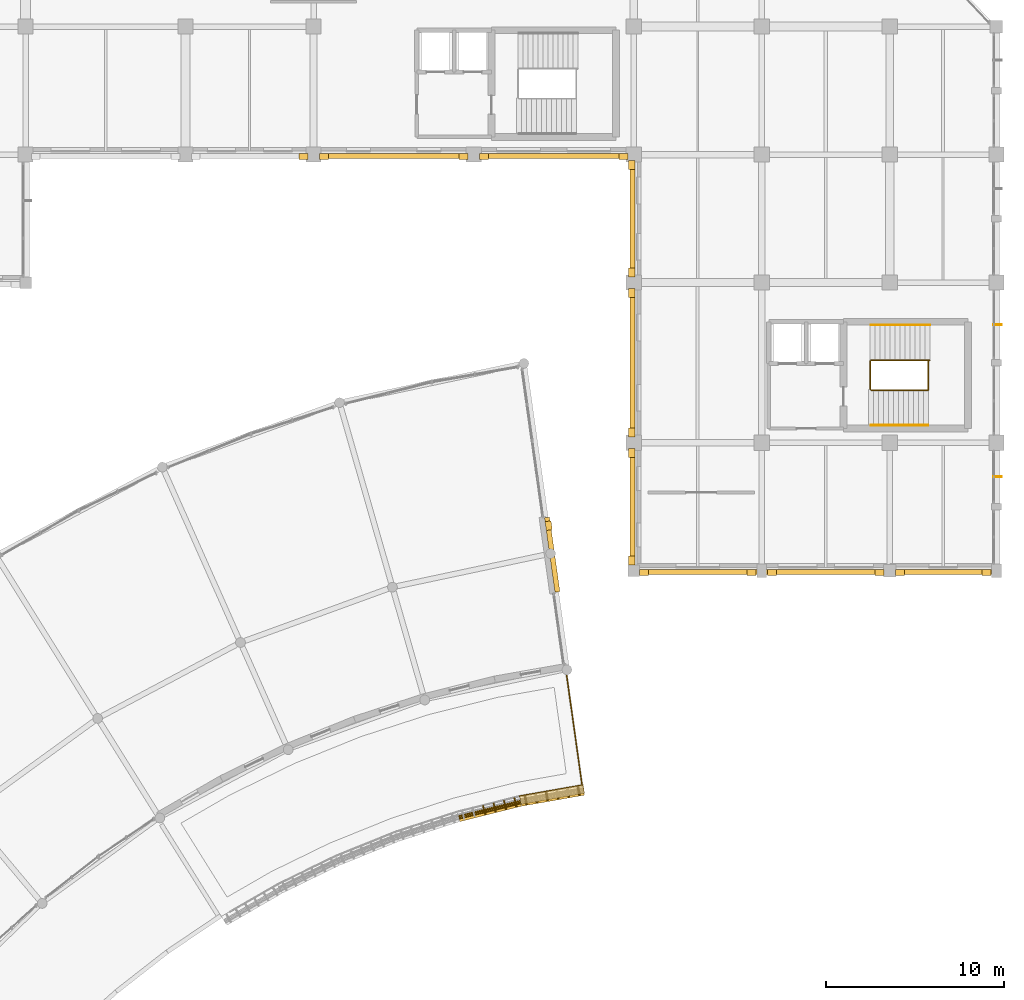
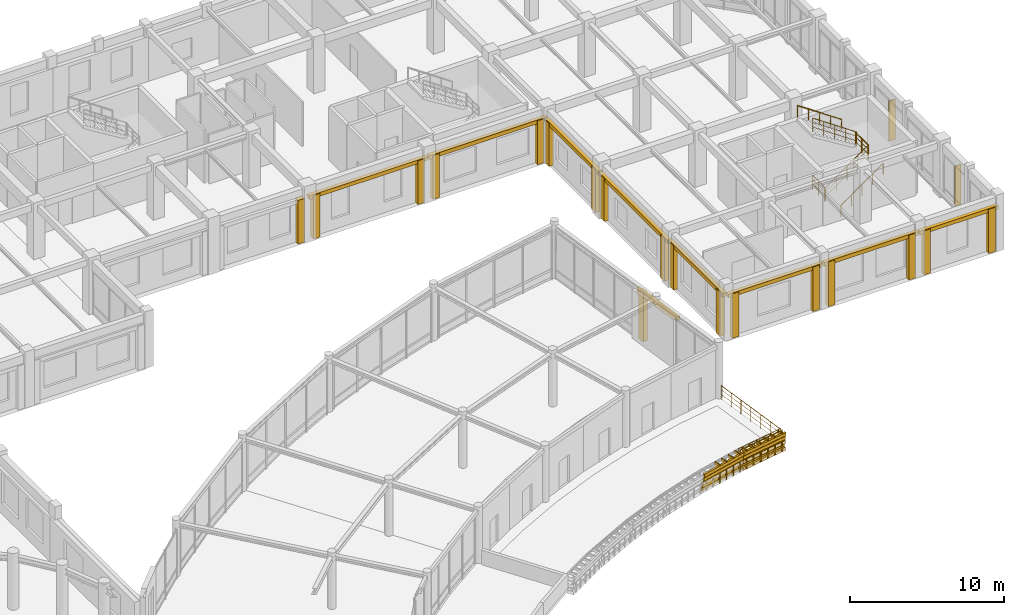
# One storey, part 61 of 62: 35 coverings, 22 shading devices, 9 railings.
"""IFC4 building model written with IfcOpenShell, lengths in metres."""

from ifc_helpers import new_model, si_unit, direction, frame, frame_2d, origin, origin_2d, place, context, subcontext, project, spatial, rectangle, circle, extrude, material, layer, layer_set, type_object, element, save


model = new_model("IFC4")

# Units and contexts
model_context = context("Model", 3, precision=1e-05, world=origin(), true_north=direction((0.0, 1.0)))
body_context = subcontext(model_context, "Body", "Model", "MODEL_VIEW")
ifc_project = project(units=[si_unit("LENGTHUNIT", "METRE"), si_unit("AREAUNIT", "SQUARE_METRE"), si_unit("VOLUMEUNIT", "CUBIC_METRE"), si_unit("PLANEANGLEUNIT", "RADIAN"), si_unit("MASSUNIT", "GRAM", prefix="KILO")], contexts=[model_context])

# Site, building, storey
site_placement = place(None, origin())
site = spatial("IfcSite", under=ifc_project, at=site_placement, CompositionType="ELEMENT")
building_placement = place(site_placement, origin())
building = spatial("IfcBuilding", under=site, at=building_placement, Name="Clarverna Civic Hall", CompositionType="ELEMENT")
storey_placement = place(building_placement, frame((0.0, 0.0, 5.10009765625)))
storey = spatial("IfcBuildingStorey", under=building, at=storey_placement, Name="L01", CompositionType="ELEMENT", Elevation=5.10009765625)

# Coverings
ifc_material_1 = material(Name="Thermally Modified Teak Wood Slat Fascia Cladding", Category="wood")
ifc_layer_1 = layer(ifc_material_1, 0.080078125)
ifc_layer_set_1 = layer_set([ifc_layer_1], Name="Thermally Modified Teak Wood Slat Fascia Cladding")
covering_type_1 = type_object("IfcCoveringType", Name="CV-CL1", PredefinedType="CLADDING", material=ifc_layer_set_1)
for number, where, z_axis, x_axis, name in (
    (1, (144.794189453125, 59.316650390625, -0.380126953125), (0.0, 0.0, 1.0), (-0.984801160782, -0.173685559914, 0.0), "CV-CL1-057"),
    (2, (144.794189453125, 59.316650390625, 0.159912109375), (0.0, 0.0, 1.0), (-0.984801160782, -0.173685559914, 0.0), "CV-CL1-058"),
):
    element("IfcCovering", number, at=place(storey_placement, frame(where, z_axis=z_axis, x_axis=x_axis)), inside=storey, type_object=covering_type_1, Name=name, PredefinedType="CLADDING", context=body_context, shape_type="SweptSolid", body=[
        extrude(rectangle(XDim=3.62939453125, YDim=0.5, at=frame_2d((1.814697265625, 0.0))), origin(), (0.0, 0.0, 1.0), 0.260009765625),
    ])
covering_1_placement = place(storey_placement, frame((144.794189453125, 59.316650390625, 0.679931640625), z_axis=(0.0, 0.0, 1.0), x_axis=(-0.984801160782, -0.173685559914, 0.0)))
element("IfcCovering", 3, at=covering_1_placement, inside=storey, type_object=covering_type_1, Name="CV-CL1-059", PredefinedType="CLADDING", context=body_context, shape_type="SweptSolid", body=[
    extrude(rectangle(XDim=3.62939453125, YDim=0.5, at=frame_2d((1.814697265625, 0.0))), origin(), (0.0, 0.0, 1.0), 0.280029296875),
])
for number, where, z_axis, x_axis, name in (
    (4, (144.458251953125, 59.480712890625, -0.360107421875), (0.0, 0.0, 1.0), (0.173339637113, -0.984862107204, 0.0), "CV-CL1-060"),
    (5, (142.6708984375, 59.165771484375, -0.360107421875), (0.0, 0.0, 1.0), (0.173813186416, -0.984778643263, 0.0), "CV-CL1-061"),
    (6, (141.4794921875, 58.95556640625, -0.360107421875), (0.0, 0.0, 1.0), (0.173813186416, -0.984778643263, 0.0), "CV-CL1-062"),
    (7, (140.885498046875, 58.829345703125, -0.360107421875), (0.0, 0.0, 1.0), (0.241731207299, -0.970343250308, 0.0), "CV-CL1-066"),
    (8, (139.12451171875, 58.390380859375, -0.360107421875), (0.0, 0.0, 1.0), (0.242190935722, -0.970228607419, 0.0), "CV-CL1-067"),
):
    element("IfcCovering", number, at=place(storey_placement, frame(where, z_axis=z_axis, x_axis=x_axis)), inside=storey, type_object=covering_type_1, Name=name, PredefinedType="CLADDING", context=body_context, shape_type="SweptSolid", body=[
        extrude(rectangle(XDim=0.5, YDim=0.070068359375, at=frame_2d((0.25, 0.0))), origin(), (0.0, 0.0, 1.0), 1.52001953125),
    ])
ifc_material_2 = material(Name="Montjuic Buff Limestone Ashlar Cladding", Category="masonry")
ifc_layer_2 = layer(ifc_material_2, 0.070068359375)
ifc_layer_set_2 = layer_set([ifc_layer_2], Name="Montjuic Buff Limestone Ashlar Cladding")
covering_type_2 = type_object("IfcCoveringType", Name="CV-CL2", PredefinedType="CLADDING", material=ifc_layer_set_2)
covering_2_placement = place(storey_placement, frame((167.93994140625, 71.52001953125, 3.219970703125), z_axis=(0.0, 0.0, 1.0), x_axis=(-1.0, 0.0, 0.0)))
element("IfcCovering", 9, at=covering_2_placement, inside=storey, type_object=covering_type_2, Name="CV-CL2-270", PredefinedType="CLADDING", context=body_context, shape_type="SweptSolid", body=[
    extrude(rectangle(XDim=5.8798828125, YDim=0.280029296875, at=frame_2d((2.93994140625, 0.0))), origin(), (0.0, 0.0, 1.0), 0.300048828125),
])
for number, where, z_axis, x_axis, name in (
    (10, (167.679931640625, 71.489990234375, 0.0), (0.0, 0.0, 1.0), (-1.0, 0.0, 0.0), "CV-CL2-271"),
    (11, (162.820068359375, 71.489990234375, 0.0), (0.0, 0.0, 1.0), (-1.0, 0.0, 0.0), "CV-CL2-272"),
):
    element("IfcCovering", number, at=place(storey_placement, frame(where, z_axis=z_axis, x_axis=x_axis)), inside=storey, type_object=covering_type_2, Name=name, PredefinedType="CLADDING", context=body_context, shape_type="SweptSolid", body=[
        extrude(rectangle(XDim=0.5, YDim=0.340087890625, at=frame_2d((0.25, 0.0))), origin(), (0.0, 0.0, 1.0), 3.5),
    ])
covering_3_placement = place(storey_placement, frame((161.93994140625, 71.52001953125, 3.260009765625), z_axis=(0.0, 0.0, 1.0), x_axis=(-1.0, 0.0, 0.0)))
element("IfcCovering", 12, at=covering_3_placement, inside=storey, type_object=covering_type_2, Name="CV-CL2-273", PredefinedType="CLADDING", context=body_context, shape_type="SweptSolid", body=[
    extrude(rectangle(XDim=7.079833984375, YDim=0.280029296875, at=frame_2d((3.5400390625, 0.0))), origin(), (0.0, 0.0, 1.0), 0.2998046875),
])
for number, where, z_axis, x_axis, name in (
    (13, (161.679931640625, 71.489990234375, 0.0), (0.0, 0.0, 1.0), (-1.0, 0.0, 0.0), "CV-CL2-274"),
    (14, (155.6201171875, 71.489990234375, 0.0), (0.0, 0.0, 1.0), (-1.0, 0.0, 0.0), "CV-CL2-275"),
):
    element("IfcCovering", number, at=place(storey_placement, frame(where, z_axis=z_axis, x_axis=x_axis)), inside=storey, type_object=covering_type_2, Name=name, PredefinedType="CLADDING", context=body_context, shape_type="SweptSolid", body=[
        extrude(rectangle(XDim=0.5, YDim=0.340087890625, at=frame_2d((0.25, 0.0))), origin(), (0.0, 0.0, 1.0), 3.539794921875),
    ])
covering_4_placement = place(storey_placement, frame((154.739990234375, 71.52001953125, 3.260009765625), z_axis=(0.0, 0.0, 1.0), x_axis=(-1.0, 0.0, 0.0)))
element("IfcCovering", 15, at=covering_4_placement, inside=storey, type_object=covering_type_2, Name="CV-CL2-276", PredefinedType="CLADDING", context=body_context, shape_type="SweptSolid", body=[
    extrude(rectangle(XDim=7.080078125, YDim=0.280029296875, at=frame_2d((3.5400390625, 0.0))), origin(), (0.0, 0.0, 1.0), 0.2998046875),
])
for number, where, z_axis, x_axis, name in (
    (16, (154.47998046875, 71.489990234375, 0.0), (0.0, 0.0, 1.0), (-1.0, 0.0, 0.0), "CV-CL2-277"),
    (17, (148.419921875, 71.489990234375, 0.0), (0.0, 0.0, 1.0), (-1.0, 0.0, 0.0), "CV-CL2-278"),
):
    element("IfcCovering", number, at=place(storey_placement, frame(where, z_axis=z_axis, x_axis=x_axis)), inside=storey, type_object=covering_type_2, Name=name, PredefinedType="CLADDING", context=body_context, shape_type="SweptSolid", body=[
        extrude(rectangle(XDim=0.5, YDim=0.340087890625, at=frame_2d((0.25, 0.0))), origin(), (0.0, 0.0, 1.0), 3.539794921875),
    ])
covering_5_placement = place(storey_placement, frame((147.52001953125, 71.659912109375, 3.260009765625), z_axis=(0.0, 0.0, 1.0), x_axis=(0.0, 1.0, 0.0)))
element("IfcCovering", 18, at=covering_5_placement, inside=storey, type_object=covering_type_2, Name="CV-CL2-279", PredefinedType="CLADDING", context=body_context, shape_type="SweptSolid", body=[
    extrude(rectangle(XDim=7.080078125, YDim=0.280029296875, at=frame_2d((3.5400390625, 0.0))), origin(), (0.0, 0.0, 1.0), 0.2998046875),
])
for number, where, z_axis, x_axis, name in (
    (19, (147.489990234375, 71.919921875, 0.0), (0.0, 0.0, 1.0), (0.0, 1.0, 0.0), "CV-CL2-280"),
    (20, (147.489990234375, 77.97998046875, 0.0), (0.0, 0.0, 1.0), (0.0, 1.0, 0.0), "CV-CL2-281"),
):
    element("IfcCovering", number, at=place(storey_placement, frame(where, z_axis=z_axis, x_axis=x_axis)), inside=storey, type_object=covering_type_2, Name=name, PredefinedType="CLADDING", context=body_context, shape_type="SweptSolid", body=[
        extrude(rectangle(XDim=0.5, YDim=0.340087890625, at=frame_2d((0.25, 0.0))), origin(), (0.0, 0.0, 1.0), 3.539794921875),
    ])
covering_6_placement = place(storey_placement, frame((147.52001953125, 78.860107421875, 3.139892578125), z_axis=(0.0, 0.0, 1.0), x_axis=(0.0, 1.0, 0.0)))
element("IfcCovering", 21, at=covering_6_placement, inside=storey, type_object=covering_type_2, Name="CV-CL2-282", PredefinedType="CLADDING", context=body_context, shape_type="SweptSolid", body=[
    extrude(rectangle(XDim=8.8798828125, YDim=0.280029296875, at=frame_2d((4.43994140625, 0.0))), origin(), (0.0, 0.0, 1.0), 0.300048828125),
])
for number, where, z_axis, x_axis, name in (
    (22, (147.489990234375, 79.1201171875, 0.0), (0.0, 0.0, 1.0), (0.0, 1.0, 0.0), "CV-CL2-283"),
    (23, (147.489990234375, 86.97998046875, 0.0), (0.0, 0.0, 1.0), (0.0, 1.0, 0.0), "CV-CL2-284"),
):
    element("IfcCovering", number, at=place(storey_placement, frame(where, z_axis=z_axis, x_axis=x_axis)), inside=storey, type_object=covering_type_2, Name=name, PredefinedType="CLADDING", context=body_context, shape_type="SweptSolid", body=[
        extrude(rectangle(XDim=0.5, YDim=0.340087890625, at=frame_2d((0.25, 0.0))), origin(), (0.0, 0.0, 1.0), 3.419921875),
    ])
covering_7_placement = place(storey_placement, frame((147.52001953125, 87.860107421875, 3.139892578125), z_axis=(0.0, 0.0, 1.0), x_axis=(0.0, 1.0, 0.0)))
element("IfcCovering", 24, at=covering_7_placement, inside=storey, type_object=covering_type_2, Name="CV-CL2-285", PredefinedType="CLADDING", context=body_context, shape_type="SweptSolid", body=[
    extrude(rectangle(XDim=7.079833984375, YDim=0.280029296875, at=frame_2d((3.5400390625, 0.0))), origin(), (0.0, 0.0, 1.0), 0.300048828125),
])
for number, where, z_axis, x_axis, name in (
    (25, (147.489990234375, 88.1201171875, 0.0), (0.0, 0.0, 1.0), (0.0, 1.0, 0.0), "CV-CL2-286"),
    (26, (147.489990234375, 94.179931640625, 0.0), (0.0, 0.0, 1.0), (0.0, 1.0, 0.0), "CV-CL2-287"),
):
    element("IfcCovering", number, at=place(storey_placement, frame(where, z_axis=z_axis, x_axis=x_axis)), inside=storey, type_object=covering_type_2, Name=name, PredefinedType="CLADDING", context=body_context, shape_type="SweptSolid", body=[
        extrude(rectangle(XDim=0.5, YDim=0.340087890625, at=frame_2d((0.25, 0.0))), origin(), (0.0, 0.0, 1.0), 3.419921875),
    ])
covering_8_placement = place(storey_placement, frame((147.5400390625, 94.919921875, 3.219970703125), z_axis=(0.0, 0.0, 1.0), x_axis=(-1.0, 0.0, 0.0)))
element("IfcCovering", 27, at=covering_8_placement, inside=storey, type_object=covering_type_2, Name="CV-CL2-288", PredefinedType="CLADDING", context=body_context, shape_type="SweptSolid", body=[
    extrude(rectangle(XDim=8.880126953125, YDim=0.280029296875, at=frame_2d((4.43994140625, 0.0))), origin(), (0.0, 0.0, 1.0), 0.300048828125),
])
for number, where, z_axis, x_axis, name in (
    (28, (147.280029296875, 94.889892578125, 0.0), (0.0, 0.0, 1.0), (-1.0, 0.0, 0.0), "CV-CL2-289"),
    (29, (139.419921875, 94.889892578125, 0.0), (0.0, 0.0, 1.0), (-1.0, 0.0, 0.0), "CV-CL2-290"),
):
    element("IfcCovering", number, at=place(storey_placement, frame(where, z_axis=z_axis, x_axis=x_axis)), inside=storey, type_object=covering_type_2, Name=name, PredefinedType="CLADDING", context=body_context, shape_type="SweptSolid", body=[
        extrude(rectangle(XDim=0.5, YDim=0.340087890625, at=frame_2d((0.25, 0.0))), origin(), (0.0, 0.0, 1.0), 3.5),
    ])
covering_9_placement = place(storey_placement, frame((138.5400390625, 94.919921875, 3.18994140625), z_axis=(0.0, 0.0, 1.0), x_axis=(-1.0, 0.0, 0.0)))
element("IfcCovering", 30, at=covering_9_placement, inside=storey, type_object=covering_type_2, Name="CV-CL2-291", PredefinedType="CLADDING", context=body_context, shape_type="SweptSolid", body=[
    extrude(rectangle(XDim=8.880126953125, YDim=0.280029296875, at=frame_2d((4.43994140625, 0.0))), origin(), (0.0, 0.0, 1.0), 0.300048828125),
])
for number, where, z_axis, x_axis, name in (
    (31, (138.280029296875, 94.889892578125, 0.0), (0.0, 0.0, 1.0), (-1.0, 0.0, 0.0), "CV-CL2-292"),
    (32, (130.419921875, 94.889892578125, 0.0), (0.0, 0.0, 1.0), (-1.0, 0.0, 0.0), "CV-CL2-293"),
    (33, (129.280029296875, 94.889892578125, 0.0), (0.0, 0.0, 1.0), (-1.0, 0.0, 0.0), "CV-CL2-295"),
):
    element("IfcCovering", number, at=place(storey_placement, frame(where, z_axis=z_axis, x_axis=x_axis)), inside=storey, type_object=covering_type_2, Name=name, PredefinedType="CLADDING", context=body_context, shape_type="SweptSolid", body=[
        extrude(rectangle(XDim=0.5, YDim=0.340087890625, at=frame_2d((0.25, 0.0))), origin(), (0.0, 0.0, 1.0), 3.469970703125),
    ])
covering_10_placement = place(storey_placement, frame((142.72119140625, 74.5966796875, 3.60986328125), z_axis=(0.0, 0.0, 1.0), x_axis=(0.139215035522, -0.990262174318, 0.0)))
element("IfcCovering", 34, at=covering_10_placement, inside=storey, type_object=covering_type_2, Name="CV-CL2-315", PredefinedType="CLADDING", context=body_context, shape_type="SweptSolid", body=[
    extrude(rectangle(XDim=4.22998046875, YDim=0.280029296875, at=frame_2d((2.114990234375, 0.0))), origin(), (0.0, 0.0, 1.0), 0.300048828125),
])
covering_11_placement = place(storey_placement, frame((142.781494140625, 74.383056640625, 0.0), z_axis=(0.0, 0.0, 1.0), x_axis=(0.139165050317, -0.990269200152, 0.0)))
element("IfcCovering", 35, at=covering_11_placement, inside=storey, type_object=covering_type_2, Name="CV-CL2-316", PredefinedType="CLADDING", context=body_context, shape_type="SweptSolid", body=[
    extrude(rectangle(XDim=0.5, YDim=0.340087890625, at=frame_2d((0.25, 0.0))), origin(), (0.0, 0.0, 1.0), 3.889892578125),
])

# Railings
ifc_material_3 = material(Name="Anodised Bronze Architectural Balustrade")
railing_type_1 = type_object("IfcRailingType", Name="GR-01", PredefinedType="BALUSTRADE", material=ifc_material_3)
railing_1_placement = place(storey_placement, frame((143.82958984375, 65.704345703125, 0.0)))
element("IfcRailing", 36, at=railing_1_placement, inside=storey, type_object=railing_type_1, Name="GR-01-004", PredefinedType="BALUSTRADE", context=body_context, shape_type="SweptSolid", body=[
    extrude(circle(Radius=0.02392578125, at=origin_2d()), frame((0.0, 0.0, 1.09619140625), z_axis=(0.139178585373, -0.990267297942, 0.0), x_axis=(0.990267297942, 0.139178585373, 0.0)), (0.0, 0.0, 1.0), 6.27978515625),
    extrude(circle(Radius=0.011962890625, at=origin_2d()), frame((0.0, 0.0, 0.39208984375), z_axis=(0.139178585373, -0.990267297942, 0.0), x_axis=(0.990267297942, 0.139178585373, 0.0)), (0.0, 0.0, 1.0), 6.27978515625),
    extrude(circle(Radius=0.011962890625, at=origin_2d()), frame((0.0, 0.0, 0.76171875), z_axis=(0.139178585373, -0.990267297942, 0.0), x_axis=(0.990267297942, 0.139178585373, 0.0)), (0.0, 0.0, 1.0), 6.27978515625),
    extrude(circle(Radius=0.02099609375, at=origin_2d()), origin(), (0.0, 0.0, 1.0), 1.072021484375),
    extrude(circle(Radius=0.02099609375, at=origin_2d()), frame((0.145751953125, -1.036376953125, 0.0)), (0.0, 0.0, 1.0), 1.072021484375),
    extrude(circle(Radius=0.02099609375, at=origin_2d()), frame((0.291259765625, -2.072998046875, 0.0)), (0.0, 0.0, 1.0), 1.072021484375),
    extrude(circle(Radius=0.02099609375, at=origin_2d()), frame((0.43701171875, -3.109375, 0.0)), (0.0, 0.0, 1.0), 1.072021484375),
    extrude(circle(Radius=0.02099609375, at=origin_2d()), frame((0.582763671875, -4.145751953125, 0.0)), (0.0, 0.0, 1.0), 1.072021484375),
    extrude(circle(Radius=0.02099609375, at=origin_2d()), frame((0.728271484375, -5.182373046875, 0.0)), (0.0, 0.0, 1.0), 1.072021484375),
    extrude(circle(Radius=0.02099609375, at=origin_2d()), frame((0.8740234375, -6.21875, 0.0)), (0.0, 0.0, 1.0), 1.072021484375),
])
railing_2_placement = place(storey_placement, frame((144.752685546875, 59.552978515625, 0.0)))
element("IfcRailing", 37, at=railing_2_placement, inside=storey, type_object=railing_type_1, Name="GR-01-005", PredefinedType="BALUSTRADE", context=body_context, shape_type="SweptSolid", body=[
    extrude(circle(Radius=0.02392578125, at=origin_2d()), frame((0.0, 0.0, 1.09619140625), z_axis=(-0.984814692178, -0.173608819105, 0.0), x_axis=(0.173608819105, -0.984814692178, 0.0)), (0.0, 0.0, 1.0), 3.629638671875),
    extrude(circle(Radius=0.011962890625, at=origin_2d()), frame((0.0, 0.0, 0.39208984375), z_axis=(-0.984814692178, -0.173608819105, 0.0), x_axis=(0.173608819105, -0.984814692178, 0.0)), (0.0, 0.0, 1.0), 3.629638671875),
    extrude(circle(Radius=0.011962890625, at=origin_2d()), frame((0.0, 0.0, 0.76171875), z_axis=(-0.984814692178, -0.173608819105, 0.0), x_axis=(0.173608819105, -0.984814692178, 0.0)), (0.0, 0.0, 1.0), 3.629638671875),
    extrude(circle(Radius=0.02099609375, at=origin_2d()), origin(), (0.0, 0.0, 1.0), 1.072021484375),
    extrude(circle(Radius=0.02099609375, at=origin_2d()), frame((-0.8935546875, -0.157470703125, 0.0)), (0.0, 0.0, 1.0), 1.072021484375),
    extrude(circle(Radius=0.02099609375, at=origin_2d()), frame((-1.787109375, -0.31494140625, 0.0)), (0.0, 0.0, 1.0), 1.072021484375),
    extrude(circle(Radius=0.02099609375, at=origin_2d()), frame((-2.680908203125, -0.47265625, 0.0)), (0.0, 0.0, 1.0), 1.072021484375),
    extrude(circle(Radius=0.02099609375, at=origin_2d()), frame((-3.574462890625, -0.630126953125, 0.0)), (0.0, 0.0, 1.0), 1.072021484375),
])
railing_type_2 = type_object("IfcRailingType", Name="GR-02", PredefinedType="BALUSTRADE", material=ifc_material_3)
railing_3_placement = place(storey_placement, frame((160.949951171875, 81.760009765625, 0.0)))
element("IfcRailing", 38, at=railing_3_placement, inside=storey, type_object=railing_type_2, Name="GR-02-043", PredefinedType="BALUSTRADE", context=body_context, shape_type="SweptSolid", body=[
    extrude(circle(Radius=0.02392578125, at=origin_2d()), frame((0.0, 0.0, 1.09619140625), z_axis=(0.818457937252, 0.0, 0.574566449551), x_axis=(0.0, 1.0, 0.0)), (0.0, 0.0, 1.0), 3.916015625),
    extrude(circle(Radius=0.011962890625, at=origin_2d()), frame((0.0, 0.0, 0.39208984375), z_axis=(0.818457937252, 0.0, 0.574566449551), x_axis=(0.0, 1.0, 0.0)), (0.0, 0.0, 1.0), 3.916015625),
    extrude(circle(Radius=0.011962890625, at=origin_2d()), frame((0.0, 0.0, 0.76171875), z_axis=(0.818457937252, 0.0, 0.574566449551), x_axis=(0.0, 1.0, 0.0)), (0.0, 0.0, 1.0), 3.916015625),
    extrude(circle(Radius=0.02099609375, at=origin_2d()), origin(), (0.0, 0.0, 1.0), 1.072021484375),
    extrude(circle(Radius=0.02099609375, at=origin_2d()), frame((0.80126953125, 0.0, 0.5625)), (0.0, 0.0, 1.0), 1.072021484375),
    extrude(circle(Radius=0.02099609375, at=origin_2d()), frame((1.6025390625, 0.0, 1.125)), (0.0, 0.0, 1.0), 1.072021484375),
    extrude(circle(Radius=0.02099609375, at=origin_2d()), frame((2.40380859375, 0.0, 1.6875)), (0.0, 0.0, 1.0), 1.072021484375),
    extrude(circle(Radius=0.02099609375, at=origin_2d()), frame((3.205078125, 0.0, 2.25)), (0.0, 0.0, 1.0), 1.072021484375),
])
railing_4_placement = place(storey_placement, frame((164.155029296875, 81.760009765625, 2.25)))
element("IfcRailing", 39, at=railing_4_placement, inside=storey, type_object=railing_type_2, Name="GR-02-044", PredefinedType="BALUSTRADE", context=body_context, shape_type="SweptSolid", body=[
    extrude(circle(Radius=0.02392578125, at=origin_2d()), frame((0.0, 0.0, 1.09619140625), z_axis=(0.0, 1.0, 0.0), x_axis=(-1.0, 0.0, 0.0)), (0.0, 0.0, 1.0), 1.679931640625),
    extrude(circle(Radius=0.011962890625, at=origin_2d()), frame((0.0, 0.0, 0.39208984375), z_axis=(0.0, 1.0, 0.0), x_axis=(-1.0, 0.0, 0.0)), (0.0, 0.0, 1.0), 1.679931640625),
    extrude(circle(Radius=0.011962890625, at=origin_2d()), frame((0.0, 0.0, 0.76171875), z_axis=(0.0, 1.0, 0.0), x_axis=(-1.0, 0.0, 0.0)), (0.0, 0.0, 1.0), 1.679931640625),
    extrude(circle(Radius=0.02099609375, at=origin_2d()), origin(), (0.0, 0.0, 1.0), 1.072021484375),
    extrude(circle(Radius=0.02099609375, at=origin_2d()), frame((0.0, 0.83984375, 0.0)), (0.0, 0.0, 1.0), 1.072021484375),
    extrude(circle(Radius=0.02099609375, at=origin_2d()), frame((0.0, 1.679931640625, 0.0)), (0.0, 0.0, 1.0), 1.072021484375),
])
railing_5_placement = place(storey_placement, frame((164.2451171875, 83.43994140625, 2.25)))
element("IfcRailing", 40, at=railing_5_placement, inside=storey, type_object=railing_type_2, Name="GR-02-045", PredefinedType="BALUSTRADE", context=body_context, shape_type="SweptSolid", body=[
    extrude(circle(Radius=0.02392578125, at=origin_2d()), frame((0.0, 0.0, 1.09619140625), z_axis=(-0.825842681189, 0.0, 0.563900581598), x_axis=(0.0, -1.0, 0.0)), (0.0, 0.0, 1.0), 3.989990234375),
    extrude(circle(Radius=0.011962890625, at=origin_2d()), frame((0.0, 0.0, 0.39208984375), z_axis=(-0.825842681189, 0.0, 0.563900581598), x_axis=(0.0, -1.0, 0.0)), (0.0, 0.0, 1.0), 3.989990234375),
    extrude(circle(Radius=0.011962890625, at=origin_2d()), frame((0.0, 0.0, 0.76171875), z_axis=(-0.825842681189, 0.0, 0.563900581598), x_axis=(0.0, -1.0, 0.0)), (0.0, 0.0, 1.0), 3.989990234375),
    extrude(circle(Radius=0.02099609375, at=origin_2d()), origin(), (0.0, 0.0, 1.0), 1.072021484375),
    extrude(circle(Radius=0.02099609375, at=origin_2d()), frame((-0.82373046875, 0.0, 0.5625)), (0.0, 0.0, 1.0), 1.072021484375),
    extrude(circle(Radius=0.02099609375, at=origin_2d()), frame((-1.6474609375, 0.0, 1.125)), (0.0, 0.0, 1.0), 1.072021484375),
    extrude(circle(Radius=0.02099609375, at=origin_2d()), frame((-2.471435546875, 0.0, 1.6875)), (0.0, 0.0, 1.0), 1.072021484375),
    extrude(circle(Radius=0.02099609375, at=origin_2d()), frame((-3.295166015625, 0.0, 2.25)), (0.0, 0.0, 1.0), 1.072021484375),
])
railing_6_placement = place(storey_placement, frame((160.909912109375, 81.800048828125, 0.0)))
element("IfcRailing", 41, at=railing_6_placement, inside=storey, type_object=railing_type_2, Name="GR-02-046", PredefinedType="BALUSTRADE", context=body_context, shape_type="SweptSolid", body=[
    extrude(circle(Radius=0.02392578125, at=origin_2d()), frame((0.0, 0.0, 1.09619140625), z_axis=(0.0, 1.0, 0.0), x_axis=(-1.0, 0.0, 0.0)), (0.0, 0.0, 1.0), 1.599853515625),
    extrude(circle(Radius=0.011962890625, at=origin_2d()), frame((0.0, 0.0, 0.39208984375), z_axis=(0.0, 1.0, 0.0), x_axis=(-1.0, 0.0, 0.0)), (0.0, 0.0, 1.0), 1.599853515625),
    extrude(circle(Radius=0.011962890625, at=origin_2d()), frame((0.0, 0.0, 0.76171875), z_axis=(0.0, 1.0, 0.0), x_axis=(-1.0, 0.0, 0.0)), (0.0, 0.0, 1.0), 1.599853515625),
    extrude(circle(Radius=0.02099609375, at=origin_2d()), origin(), (0.0, 0.0, 1.0), 1.072021484375),
    extrude(circle(Radius=0.02099609375, at=origin_2d()), frame((0.0, 0.7998046875, 0.0)), (0.0, 0.0, 1.0), 1.072021484375),
    extrude(circle(Radius=0.02099609375, at=origin_2d()), frame((0.0, 1.599853515625, 0.0)), (0.0, 0.0, 1.0), 1.072021484375),
])
ifc_material_4 = material(Name="Thermally Modified Teak Wood Slat Fascia Rail", Category="wood")
railing_type_3 = type_object("IfcRailingType", Name="GR-03", PredefinedType="BALUSTRADE", material=ifc_material_4)
railing_7_placement = place(storey_placement, frame((144.75439453125, 59.37060546875, 0.0)))
element("IfcRailing", 42, at=railing_7_placement, inside=storey, type_object=railing_type_3, Name="GR-03-001", PredefinedType="BALUSTRADE", context=body_context, shape_type="SweptSolid", body=[
    extrude(circle(Radius=0.02392578125, at=origin_2d()), frame((0.0, 0.0, 1.09619140625), z_axis=(-0.984806959952, -0.173652675277, 0.0), x_axis=(0.173652675277, -0.984806959952, 0.0)), (0.0, 0.0, 1.0), 3.569580078125),
    extrude(circle(Radius=0.011962890625, at=origin_2d()), frame((0.0, 0.0, 0.39208984375), z_axis=(-0.984806959952, -0.173652675277, 0.0), x_axis=(0.173652675277, -0.984806959952, 0.0)), (0.0, 0.0, 1.0), 3.569580078125),
    extrude(circle(Radius=0.011962890625, at=origin_2d()), frame((0.0, 0.0, 0.76171875), z_axis=(-0.984806959952, -0.173652675277, 0.0), x_axis=(0.173652675277, -0.984806959952, 0.0)), (0.0, 0.0, 1.0), 3.569580078125),
    extrude(circle(Radius=0.02099609375, at=origin_2d()), origin(), (0.0, 0.0, 1.0), 1.072021484375),
    extrude(circle(Radius=0.02099609375, at=origin_2d()), frame((-1.171875, -0.20654296875, 0.0)), (0.0, 0.0, 1.0), 1.072021484375),
    extrude(circle(Radius=0.02099609375, at=origin_2d()), frame((-2.343505859375, -0.413330078125, 0.0)), (0.0, 0.0, 1.0), 1.072021484375),
    extrude(circle(Radius=0.02099609375, at=origin_2d()), frame((-3.515380859375, -0.619873046875, 0.0)), (0.0, 0.0, 1.0), 1.072021484375),
])
ifc_material_5 = material(Name="Anodised Bronze Continuous Handrail")
railing_type_4 = type_object("IfcRailingType", Name="HR-01", PredefinedType="HANDRAIL", material=ifc_material_5)
railing_8_placement = place(storey_placement, frame((160.949951171875, 79.780029296875, 0.0)))
element("IfcRailing", 43, at=railing_8_placement, inside=storey, type_object=railing_type_4, Name="HR-01-021", PredefinedType="HANDRAIL", context=body_context, shape_type="SweptSolid", body=[
    extrude(circle(Radius=0.02392578125, at=origin_2d()), frame((0.0, 0.0, 0.89599609375), z_axis=(0.817175802515, 0.0, 0.576388504208), x_axis=(0.0, 1.0, 0.0)), (0.0, 0.0, 1.0), 3.903564453125),
    extrude(circle(Radius=0.02099609375, at=origin_2d()), origin(), (0.0, 0.0, 1.0), 0.871826171875),
    extrude(circle(Radius=0.02099609375, at=origin_2d()), frame((0.79736328125, 0.0, 0.5625)), (0.0, 0.0, 1.0), 0.871826171875),
    extrude(circle(Radius=0.02099609375, at=origin_2d()), frame((1.594970703125, 0.0, 1.125)), (0.0, 0.0, 1.0), 0.871826171875),
    extrude(circle(Radius=0.02099609375, at=origin_2d()), frame((2.392578125, 0.0, 1.6875)), (0.0, 0.0, 1.0), 0.871826171875),
    extrude(circle(Radius=0.02099609375, at=origin_2d()), frame((3.18994140625, 0.0, 2.25)), (0.0, 0.0, 1.0), 0.871826171875),
])
railing_9_placement = place(storey_placement, frame((164.260009765625, 85.419921875, 2.25)))
element("IfcRailing", 44, at=railing_9_placement, inside=storey, type_object=railing_type_4, Name="HR-01-022", PredefinedType="HANDRAIL", context=body_context, shape_type="SweptSolid", body=[
    extrude(circle(Radius=0.02392578125, at=origin_2d()), frame((0.0, 0.0, 0.89599609375), z_axis=(-0.82702406128, 0.0, 0.562166525207), x_axis=(0.0, -1.0, 0.0)), (0.0, 0.0, 1.0), 4.00244140625),
    extrude(circle(Radius=0.02099609375, at=origin_2d()), origin(), (0.0, 0.0, 1.0), 0.871826171875),
    extrude(circle(Radius=0.02099609375, at=origin_2d()), frame((-0.82763671875, 0.0, 0.5625)), (0.0, 0.0, 1.0), 0.871826171875),
    extrude(circle(Radius=0.02099609375, at=origin_2d()), frame((-1.655029296875, 0.0, 1.125)), (0.0, 0.0, 1.0), 0.871826171875),
    extrude(circle(Radius=0.02099609375, at=origin_2d()), frame((-2.482421875, 0.0, 1.6875)), (0.0, 0.0, 1.0), 0.871826171875),
    extrude(circle(Radius=0.02099609375, at=origin_2d()), frame((-3.31005859375, 0.0, 2.25)), (0.0, 0.0, 1.0), 0.871826171875),
])

# Shading devices
ifc_material_6 = material(Name="Anodised Bronze Architectural Solar Fin", Category="aluminium")
ifc_layer_3 = layer(ifc_material_6, 0.054931640625)
ifc_layer_set_3 = layer_set([ifc_layer_3], Name="Anodised Bronze Architectural Solar Fin")
shading_device_type_1 = type_object("IfcShadingDeviceType", Name="SD-FN1", PredefinedType="USERDEFINED", material=ifc_layer_set_3)
for number, where, z_axis, x_axis, name in (
    (45, (167.830078125, 85.4326171875, 0.14990234375), (0.0, 0.0, 1.0), (1.0, 0.0, 0.0), "SD-FN1-005"),
    (46, (167.830078125, 76.882568359375, 0.14990234375), (0.0, 0.0, 1.0), (1.0, 0.0, 0.0), "SD-FN1-006"),
):
    element("IfcShadingDevice", number, at=place(storey_placement, frame(where, z_axis=z_axis, x_axis=x_axis)), inside=storey, type_object=shading_device_type_1, Name=name, ObjectType="FIN", PredefinedType="USERDEFINED", context=body_context, shape_type="SweptSolid", body=[
        extrude(rectangle(XDim=0.47998046875, YDim=0.054931640625, at=frame_2d((0.239990234375, 0.0))), origin(), (0.0, 0.0, 1.0), 3.199951171875),
    ])
ifc_material_7 = material(Name="Thermally Modified Teak Wood Slats", Category="wood")
ifc_layer_4 = layer(ifc_material_7, 0.06494140625)
ifc_layer_set_4 = layer_set([ifc_layer_4], Name="Thermally Modified Teak Wood Slats")
shading_device_type_2 = type_object("IfcShadingDeviceType", Name="SD-WD1", PredefinedType="JALOUSIE", material=ifc_layer_set_4)
shading_device_1_placement = place(storey_placement, frame((144.771728515625, 59.27197265625, -0.360107421875), z_axis=(0.0, 0.0, 1.0), x_axis=(-0.984818654234, -0.173586342416, 0.0)))
element("IfcShadingDevice", 47, at=shading_device_1_placement, inside=storey, type_object=shading_device_type_2, Name="SD-WD1-001", PredefinedType="JALOUSIE", context=body_context, shape_type="SweptSolid", body=[
    extrude(rectangle(XDim=3.569580078125, YDim=0.139892578125, at=frame_2d((1.78466796875, 0.0))), origin(), (0.0, 0.0, 1.0), 0.239990234375),
])
shading_device_2_placement = place(storey_placement, frame((144.781982421875, 59.212890625, -0.080078125), z_axis=(0.0, 0.0, 1.0), x_axis=(-0.984816593134, -0.173598035378, 0.0)))
element("IfcShadingDevice", 48, at=shading_device_2_placement, inside=storey, type_object=shading_device_type_2, Name="SD-WD1-002", PredefinedType="JALOUSIE", context=body_context, shape_type="SweptSolid", body=[
    extrude(rectangle(XDim=3.5693359375, YDim=0.139892578125, at=frame_2d((1.78466796875, 0.0))), origin(), (0.0, 0.0, 1.0), 0.239990234375),
])
for number, where, z_axis, x_axis, name in (
    (49, (144.79248046875, 59.15380859375, 0.219970703125), (0.0, 0.0, 1.0), (-0.984818654234, -0.173586342416, 0.0), "SD-WD1-003"),
    (50, (144.802978515625, 59.0947265625, 0.539794921875), (0.0, 0.0, 1.0), (-0.984818654234, -0.173586342416, 0.0), "SD-WD1-004"),
):
    element("IfcShadingDevice", number, at=place(storey_placement, frame(where, z_axis=z_axis, x_axis=x_axis)), inside=storey, type_object=shading_device_type_2, Name=name, PredefinedType="JALOUSIE", context=body_context, shape_type="SweptSolid", body=[
        extrude(rectangle(XDim=3.569580078125, YDim=0.139892578125, at=frame_2d((1.78466796875, 0.0))), origin(), (0.0, 0.0, 1.0), 0.239990234375),
    ])
shading_device_3_placement = place(storey_placement, frame((144.8115234375, 59.04541015625, 0.85986328125), z_axis=(0.0, 0.0, 1.0), x_axis=(-0.984816593134, -0.173598035378, 0.0)))
element("IfcShadingDevice", 51, at=shading_device_3_placement, inside=storey, type_object=shading_device_type_2, Name="SD-WD1-005", PredefinedType="JALOUSIE", context=body_context, shape_type="SweptSolid", body=[
    extrude(rectangle(XDim=3.5693359375, YDim=0.139892578125, at=frame_2d((1.78466796875, 0.0))), origin(), (0.0, 0.0, 1.0), 0.239990234375),
])
for number, where, z_axis, x_axis, name in (
    (52, (144.458251953125, 59.480712890625, -0.360107421875), (0.0, 0.0, 1.0), (0.173339637113, -0.984862107204, 0.0), "SD-WD1-006"),
    (53, (143.862548828125, 59.375732421875, -0.360107421875), (0.0, 0.0, 1.0), (0.173339637113, -0.984862107204, 0.0), "SD-WD1-007"),
    (54, (143.2666015625, 59.270751953125, -0.360107421875), (0.0, 0.0, 1.0), (0.173813186416, -0.984778643263, 0.0), "SD-WD1-008"),
    (55, (142.6708984375, 59.165771484375, -0.360107421875), (0.0, 0.0, 1.0), (0.173813186416, -0.984778643263, 0.0), "SD-WD1-009"),
    (56, (142.0751953125, 59.060546875, -0.360107421875), (0.0, 0.0, 1.0), (0.173813186416, -0.984778643263, 0.0), "SD-WD1-010"),
    (57, (141.4794921875, 58.95556640625, -0.360107421875), (0.0, 0.0, 1.0), (0.173813186416, -0.984778643263, 0.0), "SD-WD1-011"),
):
    element("IfcShadingDevice", number, at=place(storey_placement, frame(where, z_axis=z_axis, x_axis=x_axis)), inside=storey, type_object=shading_device_type_2, Name=name, PredefinedType="JALOUSIE", context=body_context, shape_type="SweptSolid", body=[
        extrude(rectangle(XDim=0.5, YDim=0.06494140625, at=frame_2d((0.25, 0.0))), origin(), (0.0, 0.0, 1.0), 1.5),
    ])
for number, where, z_axis, x_axis, name in (
    (58, (141.212646484375, 58.64306640625, -0.360107421875), (0.0, 0.0, 1.0), (-0.970279139738, -0.241988410855, 0.0), "SD-WD1-012"),
    (59, (141.227294921875, 58.584716796875, -0.080078125), (0.0, 0.0, 1.0), (-0.970299199971, -0.241907962945, 0.0), "SD-WD1-013"),
):
    element("IfcShadingDevice", number, at=place(storey_placement, frame(where, z_axis=z_axis, x_axis=x_axis)), inside=storey, type_object=shading_device_type_2, Name=name, PredefinedType="JALOUSIE", context=body_context, shape_type="SweptSolid", body=[
        extrude(rectangle(XDim=3.569580078125, YDim=0.139892578125, at=frame_2d((1.78466796875, 0.0))), origin(), (0.0, 0.0, 1.0), 0.239990234375),
    ])
shading_device_4_placement = place(storey_placement, frame((141.24169921875, 58.526611328125, 0.219970703125), z_axis=(0.0, 0.0, 1.0), x_axis=(-0.970295197219, -0.241924017522, 0.0)))
element("IfcShadingDevice", 60, at=shading_device_4_placement, inside=storey, type_object=shading_device_type_2, Name="SD-WD1-014", PredefinedType="JALOUSIE", context=body_context, shape_type="SweptSolid", body=[
    extrude(rectangle(XDim=3.5693359375, YDim=0.139892578125, at=frame_2d((1.78466796875, 0.0))), origin(), (0.0, 0.0, 1.0), 0.239990234375),
])
for number, where, z_axis, x_axis, name in (
    (61, (141.25634765625, 58.46826171875, 0.539794921875), (0.0, 0.0, 1.0), (-0.970299199971, -0.241907962945, 0.0), "SD-WD1-015"),
    (62, (141.268310546875, 58.419921875, 0.85986328125), (0.0, 0.0, 1.0), (-0.970279139738, -0.241988410855, 0.0), "SD-WD1-016"),
):
    element("IfcShadingDevice", number, at=place(storey_placement, frame(where, z_axis=z_axis, x_axis=x_axis)), inside=storey, type_object=shading_device_type_2, Name=name, PredefinedType="JALOUSIE", context=body_context, shape_type="SweptSolid", body=[
        extrude(rectangle(XDim=3.569580078125, YDim=0.139892578125, at=frame_2d((1.78466796875, 0.0))), origin(), (0.0, 0.0, 1.0), 0.239990234375),
    ])
for number, where, z_axis, x_axis, name in (
    (63, (140.885498046875, 58.829345703125, -0.360107421875), (0.0, 0.0, 1.0), (0.241731207299, -0.970343250308, 0.0), "SD-WD1-017"),
    (64, (140.298583984375, 58.68310546875, -0.360107421875), (0.0, 0.0, 1.0), (0.241731207299, -0.970343250308, 0.0), "SD-WD1-018"),
    (65, (139.71142578125, 58.53662109375, -0.360107421875), (0.0, 0.0, 1.0), (0.242190935722, -0.970228607419, 0.0), "SD-WD1-019"),
    (66, (139.12451171875, 58.390380859375, -0.360107421875), (0.0, 0.0, 1.0), (0.242190935722, -0.970228607419, 0.0), "SD-WD1-020"),
):
    element("IfcShadingDevice", number, at=place(storey_placement, frame(where, z_axis=z_axis, x_axis=x_axis)), inside=storey, type_object=shading_device_type_2, Name=name, PredefinedType="JALOUSIE", context=body_context, shape_type="SweptSolid", body=[
        extrude(rectangle(XDim=0.5, YDim=0.06494140625, at=frame_2d((0.25, 0.0))), origin(), (0.0, 0.0, 1.0), 1.5),
    ])

save(model, "model.ifc")
